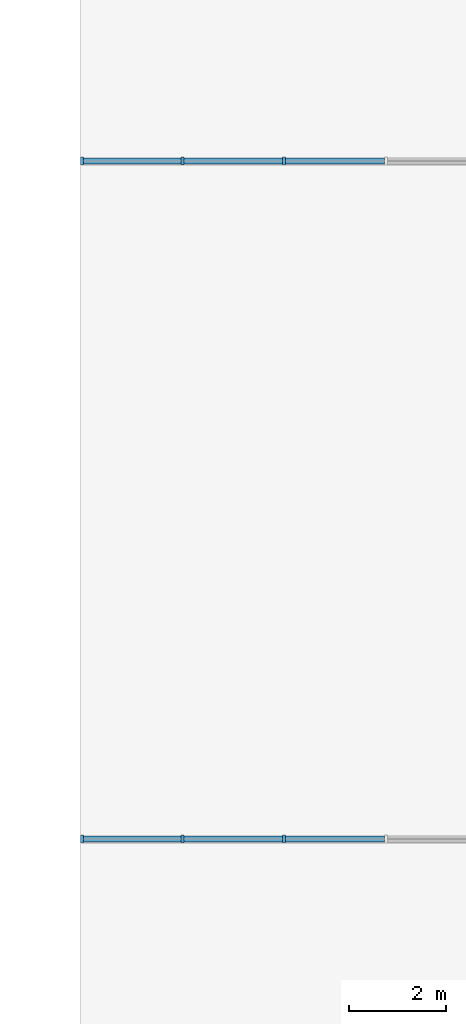
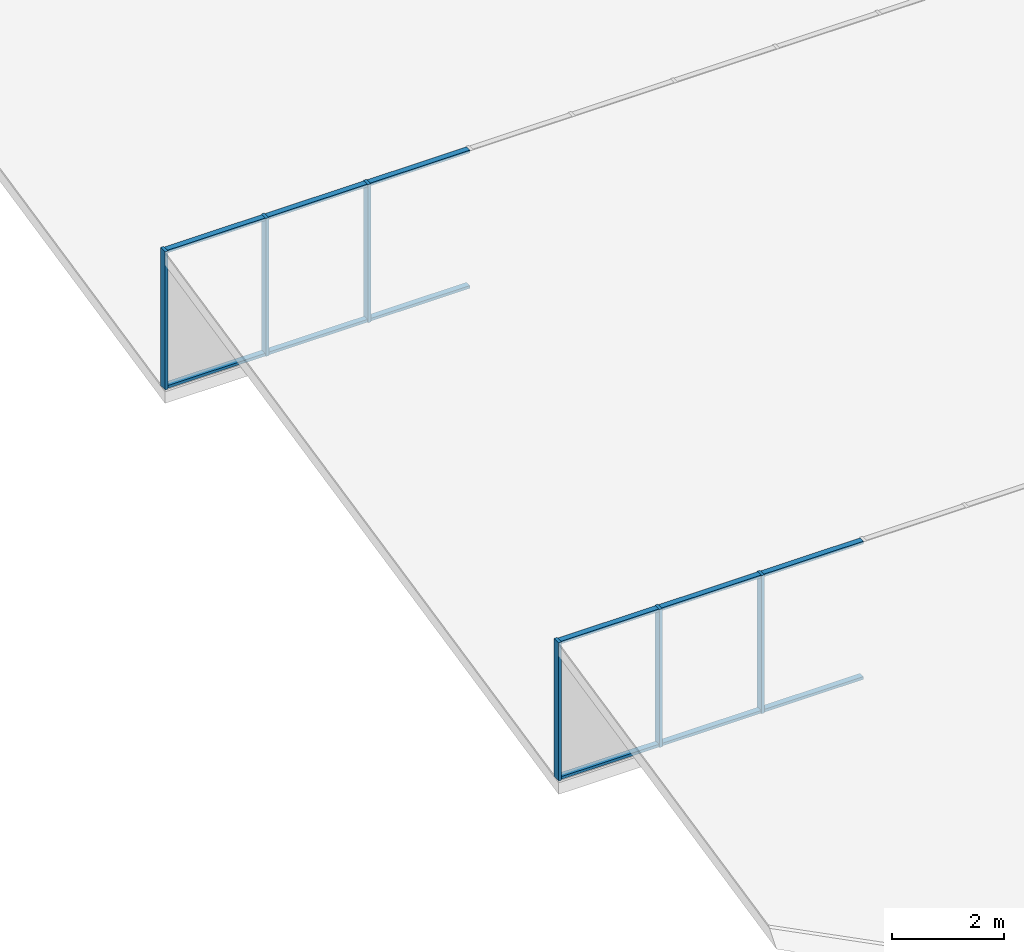
# One storey, part 28 of 137: 18 members, 2 elements without a shape of their own.
"""IFC4 building model written with IfcOpenShell, lengths in metres."""

import ifcopenshell
import ifcopenshell.guid

model = None  # the IFC model being written
_history = None  # IfcOwnerHistory: only IFC2X3 demands one
_inside = {}  # id of a spatial element -> (the spatial element, [elements in it])
_under = {}  # id of a project, library or spatial element -> (it, [spatial elements below it])
_declared = {}  # id of a project -> (the project, [libraries it declares])
_typed = {}  # id of a type object -> (the type object, [elements of that type])
_made_of = {}  # id of a material, layer set ... -> (it, [elements and type objects made of it])


def new_model(schema):
    """Start an empty IFC model of exactly this schema.

    Asked for "IFC4X3", IfcOpenShell would pick the latest addendum, in which some entities
    have other attributes; the version numbers below select the first issue.
    IFC2X3 requires an IfcOwnerHistory on every rooted entity: one is made here for all.
    """
    global model, _history
    if schema == "IFC4X3":
        model = ifcopenshell.file(schema_version=(4, 3, 0, 0))
    else:
        model = ifcopenshell.file(schema=schema)
    _inside.clear()
    _under.clear()
    _declared.clear()
    _typed.clear()
    _made_of.clear()
    _history = None
    if model.schema == "IFC2X3":
        org = make("IfcOrganization", Name="unknown")
        user = make(
            "IfcPersonAndOrganization",
            ThePerson=make("IfcPerson", FamilyName="unknown"),
            TheOrganization=org,
        )
        app = make(
            "IfcApplication",
            ApplicationDeveloper=org,
            Version="unknown",
            ApplicationFullName="unknown",
            ApplicationIdentifier="unknown",
        )
        _history = make(
            "IfcOwnerHistory",
            OwningUser=user,
            OwningApplication=app,
            ChangeAction="ADDED",
            CreationDate=0,
        )
    return model


def make(cls, **values):
    """One entity of the class cls with the attributes given. An attribute that is None is left unset."""
    return model.create_entity(
        cls, **{name: value for name, value in values.items() if value is not None}
    )


def rooted(cls, **values):
    """An entity with a GlobalId (a new one), such as an element, a storey or a relation."""
    return make(cls, GlobalId=ifcopenshell.guid.new(), OwnerHistory=_history, **values)


def si_unit(unit_type, name, prefix=None):
    """IfcSIUnit, for example si_unit("LENGTHUNIT", "METRE", prefix="MILLI")."""
    return make("IfcSIUnit", UnitType=unit_type, Prefix=prefix, Name=name)


def assignment(units):
    """IfcUnitAssignment: the units of a project."""
    return None if units is None else make("IfcUnitAssignment", Units=units)


def point(xyz):
    """IfcCartesianPoint."""
    return None if xyz is None else make("IfcCartesianPoint", Coordinates=xyz)


def direction(xyz):
    """IfcDirection."""
    return None if xyz is None else make("IfcDirection", DirectionRatios=xyz)


def frame(location, z_axis=None, x_axis=None):
    """IfcAxis2Placement3D, a coordinate frame: its origin and axes. An axis left out is left unset."""
    return make(
        "IfcAxis2Placement3D",
        Location=point(location),
        Axis=direction(z_axis),
        RefDirection=direction(x_axis),
    )


def frame_2d(location, x_axis=None):
    """IfcAxis2Placement2D, a coordinate frame in the plane: its origin and x axis."""
    return make(
        "IfcAxis2Placement2D", Location=point(location), RefDirection=direction(x_axis)
    )


def origin():
    """The frame at (0, 0, 0) with its axes left unset."""
    return frame((0.0, 0.0, 0.0))


def origin_2d():
    """The frame at (0, 0) in the plane with its x axis left unset."""
    return frame_2d((0.0, 0.0))


def place(relative_to, where):
    """IfcLocalPlacement: puts the frame where relative to a parent placement (None: the world)."""
    return make(
        "IfcLocalPlacement", PlacementRelTo=relative_to, RelativePlacement=where
    )


def context(
    kind, dimensions, precision=None, world=None, true_north=None, identifier=None
):
    """IfcGeometricRepresentationContext, for example the 3D "Model" context."""
    return make(
        "IfcGeometricRepresentationContext",
        ContextIdentifier=identifier,
        ContextType=kind,
        CoordinateSpaceDimension=dimensions,
        Precision=precision,
        WorldCoordinateSystem=world,
        TrueNorth=true_north,
    )


def subcontext(parent, identifier, kind, view, scale=None):
    """IfcGeometricRepresentationSubContext, for example "Body" below "Model"."""
    return make(
        "IfcGeometricRepresentationSubContext",
        ContextIdentifier=identifier,
        ContextType=kind,
        ParentContext=parent,
        TargetScale=scale,
        TargetView=view,
    )


def project(units=None, contexts=None):
    """IfcProject with its units and contexts."""
    return rooted(
        "IfcProject",
        Name="project",
        RepresentationContexts=contexts,
        UnitsInContext=assignment(units),
    )


def spatial(cls, under=None, at=None, **own):
    """A site, building, storey or space (cls), placed at a placement, below another one or the project."""
    s = rooted(cls, ObjectPlacement=at, **own)
    if under is not None:
        _under.setdefault(under.id(), (under, []))[1].append(s)
    return s


def profile(cls, at=None, kind="AREA", **sizes):
    """A parametric profile (cls). Its sizes go by their IFC names, for example OverallWidth=200.0."""
    return make(cls, ProfileType=kind, Position=at, **sizes)


def rectangle(**sizes):
    """IfcRectangleProfileDef."""
    return profile("IfcRectangleProfileDef", **sizes)


def extrude(swept, where, along, depth):
    """IfcExtrudedAreaSolid: the profile swept, set in the frame where, extruded along a direction by depth."""
    return make(
        "IfcExtrudedAreaSolid",
        SweptArea=swept,
        Position=where,
        ExtrudedDirection=direction(along),
        Depth=depth,
    )


def shape(context_of_items, identifier, shape_type, items):
    """IfcShapeRepresentation: the items that make up one representation, for example the "Body"."""
    return make(
        "IfcShapeRepresentation",
        ContextOfItems=context_of_items,
        RepresentationIdentifier=identifier,
        RepresentationType=shape_type,
        Items=items,
    )


def material(Name=None, Category=None):
    """IfcMaterial."""
    return make("IfcMaterial", Name=Name, Category=Category)


def material_profile(
    of_material, cross_section, Name=None, Category=None, Priority=None
):
    """IfcMaterialProfile: a cross section and its material."""
    return make(
        "IfcMaterialProfile",
        Name=Name,
        Material=of_material,
        Profile=cross_section,
        Priority=Priority,
        Category=Category,
    )


def profile_set(profiles, Name=None, composite=None):
    """IfcMaterialProfileSet."""
    return make(
        "IfcMaterialProfileSet",
        Name=Name,
        MaterialProfiles=profiles,
        CompositeProfile=composite,
    )


def made_of(thing, what):
    """Note that an element or type object is made of a material, layer set ...; save() writes the relation."""
    if what is not None:
        _made_of.setdefault(what.id(), (what, []))[1].append(thing)
    return thing


def type_object(cls, material=None, **own):
    """A type object (cls), such as IfcWallType, which elements share."""
    return made_of(rooted(cls, **own), material)


def element(
    cls,
    number,
    at=None,
    inside=None,
    cuts=None,
    type_object=None,
    material=None,
    context=None,
    identifier="Body",
    shape_type=None,
    held_by="IfcProductDefinitionShape",
    body=None,
    shapes=None,
    **own,
):
    """One element of the class cls, such as IfcWall. Its Tag is "e" and its number.

    at: its placement. inside: the storey or other place that contains it. cuts: it is an
    opening in that element (IfcRelVoidsElement). A single representation is given by context,
    identifier, shape_type and body (its items); several are given by shapes. held_by: the class
    of the entity that holds the representations. save() writes the other relations.
    """
    e = rooted(cls, Tag="e%d" % number, ObjectPlacement=at, **own)
    if body is not None:
        shapes = [shape(context, identifier, shape_type, body)]
    if shapes is not None:
        e.Representation = make(held_by, Representations=shapes)
    if inside is not None:
        _inside.setdefault(inside.id(), (inside, []))[1].append(e)
    if cuts is not None:
        rooted(
            "IfcRelVoidsElement", RelatingBuildingElement=cuts, RelatedOpeningElement=e
        )
    if type_object is not None:
        _typed.setdefault(type_object.id(), (type_object, []))[1].append(e)
    return made_of(e, material)


def aggregate(whole, parts):
    """IfcRelAggregates: a whole, such as a stair, and the parts it consists of."""
    return rooted("IfcRelAggregates", RelatingObject=whole, RelatedObjects=parts)


def save(model, path):
    """Write the relations noted so far, then the file.

    IfcRelAggregates (storeys below a building ...), IfcRelContainedInSpatialStructure (elements
    in a storey), IfcRelDefinesByType, IfcRelAssociatesMaterial and IfcRelDeclares: one each for
    every whole, place, type object, material and project.
    """
    for whole, parts in _under.values():
        aggregate(whole, parts)
    for where, things in _inside.values():
        rooted(
            "IfcRelContainedInSpatialStructure",
            RelatedElements=things,
            RelatingStructure=where,
        )
    for kind, things in _typed.values():
        rooted("IfcRelDefinesByType", RelatedObjects=things, RelatingType=kind)
    for what, things in _made_of.values():
        rooted("IfcRelAssociatesMaterial", RelatedObjects=things, RelatingMaterial=what)
    for by, libraries in _declared.values():
        rooted("IfcRelDeclares", RelatingContext=by, RelatedDefinitions=libraries)
    model.write(path)


model = new_model("IFC4")

# Units and contexts
model_context = context("Model", 3, precision=1e-05, world=origin(), true_north=direction((0.0, 1.0)))
body_context = subcontext(model_context, "Body", "Model", "MODEL_VIEW")
ifc_project = project(units=[si_unit("LENGTHUNIT", "METRE"), si_unit("AREAUNIT", "SQUARE_METRE"), si_unit("VOLUMEUNIT", "CUBIC_METRE"), si_unit("PLANEANGLEUNIT", "RADIAN"), si_unit("MASSUNIT", "GRAM", prefix="KILO")], contexts=[model_context])

# Site, building, storey
site_placement = place(None, origin())
site = spatial("IfcSite", under=ifc_project, at=site_placement, CompositionType="ELEMENT")
building_placement = place(site_placement, origin())
building = spatial("IfcBuilding", under=site, at=building_placement, Name="Bougainvillea Quay General Hospital", CompositionType="ELEMENT")
storey_placement = place(building_placement, frame((0.0, 0.0, 16.800048828125)))
storey = spatial("IfcBuildingStorey", under=building, at=storey_placement, Name="L03", CompositionType="ELEMENT", Elevation=16.800048828125)

# Curtain wall, members
ifc_material_1 = material(Name="Aluminium curtain wall system, powder-coated glazed", Category="aluminium")
curtain_wall_type = type_object("IfcCurtainWallType", Name="Unitised curtain wall CW-2100", PredefinedType="NOTDEFINED", material=ifc_material_1)
curtain_wall_1_placement = place(storey_placement, origin())
curtain_wall_1 = element("IfcCurtainWall", 1, at=curtain_wall_1_placement, inside=storey, type_object=curtain_wall_type, Name="ST-G1 GL0", PredefinedType="NOTDEFINED")
ifc_material_2 = material(Name="Aluminium mullion, powder-coated charcoal", Category="aluminium")
ifc_material_profile_1 = material_profile(ifc_material_2, rectangle(XDim=0.159912109375, YDim=0.06005859375, at=origin_2d()))
ifc_profile_set_1 = profile_set([ifc_material_profile_1], Name="Aluminium mullion, powder-coated charcoal")
member_type_1 = type_object("IfcMemberType", Name="Curtain wall mullion 160x60", PredefinedType="MULLION", material=ifc_profile_set_1)
member_1_placement = place(storey_placement, frame((163.830078125, 89.679931640625, 0.0), z_axis=(0.0, 0.0, 1.0), x_axis=(0.0, 1.0, 0.0)))
member_1 = element("IfcMember", 2, at=member_1_placement, type_object=member_type_1, Name="ST-G1 mullion 1", PredefinedType="MULLION", context=body_context, shape_type="SweptSolid", body=[
    extrude(rectangle(XDim=0.159912109375, YDim=0.06005859375, at=origin_2d()), origin(), (0.0, 0.0, 1.0), 3.0),
])
member_2_placement = place(storey_placement, frame((165.89990234375, 89.679931640625, 0.0), z_axis=(0.0, 0.0, 1.0), x_axis=(0.0, 1.0, 0.0)))
member_2 = element("IfcMember", 3, at=member_2_placement, type_object=member_type_1, Name="ST-G1 mullion 2", PredefinedType="MULLION", context=body_context, shape_type="SweptSolid", body=[
    extrude(rectangle(XDim=0.159912109375, YDim=0.06005859375, at=origin_2d()), origin(), (0.0, 0.0, 1.0), 3.0),
])
member_3_placement = place(storey_placement, frame((168.0, 89.679931640625, 0.0), z_axis=(0.0, 0.0, 1.0), x_axis=(0.0, 1.0, 0.0)))
member_3 = element("IfcMember", 4, at=member_3_placement, type_object=member_type_1, Name="ST-G1 mullion 3", PredefinedType="MULLION", context=body_context, shape_type="SweptSolid", body=[
    extrude(rectangle(XDim=0.159912109375, YDim=0.06005859375, at=origin_2d()), origin(), (0.0, 0.0, 1.0), 3.0),
])

curtain_wall_2_placement = place(storey_placement, origin())
curtain_wall_2 = element("IfcCurtainWall", 5, at=curtain_wall_2_placement, inside=storey, type_object=curtain_wall_type, Name="ST-G2 GL1", PredefinedType="NOTDEFINED")
member_4_placement = place(storey_placement, frame((163.830078125, 103.679931640625, 0.0), z_axis=(0.0, 0.0, 1.0), x_axis=(0.0, 1.0, 0.0)))
member_4 = element("IfcMember", 6, at=member_4_placement, type_object=member_type_1, Name="ST-G2 mullion 1", PredefinedType="MULLION", context=body_context, shape_type="SweptSolid", body=[
    extrude(rectangle(XDim=0.159912109375, YDim=0.06005859375, at=origin_2d()), origin(), (0.0, 0.0, 1.0), 3.0),
])
member_5_placement = place(storey_placement, frame((165.89990234375, 103.679931640625, 0.0), z_axis=(0.0, 0.0, 1.0), x_axis=(0.0, 1.0, 0.0)))
member_5 = element("IfcMember", 7, at=member_5_placement, type_object=member_type_1, Name="ST-G2 mullion 2", PredefinedType="MULLION", context=body_context, shape_type="SweptSolid", body=[
    extrude(rectangle(XDim=0.159912109375, YDim=0.06005859375, at=origin_2d()), origin(), (0.0, 0.0, 1.0), 3.0),
])
member_6_placement = place(storey_placement, frame((168.0, 103.679931640625, 0.0), z_axis=(0.0, 0.0, 1.0), x_axis=(0.0, 1.0, 0.0)))
member_6 = element("IfcMember", 8, at=member_6_placement, type_object=member_type_1, Name="ST-G2 mullion 3", PredefinedType="MULLION", context=body_context, shape_type="SweptSolid", body=[
    extrude(rectangle(XDim=0.159912109375, YDim=0.06005859375, at=origin_2d()), origin(), (0.0, 0.0, 1.0), 3.0),
])

# Member
ifc_material_3 = material(Name="Aluminium transom, powder-coated charcoal", Category="aluminium")
ifc_material_profile_2 = material_profile(ifc_material_3, rectangle(XDim=0.1201171875, YDim=0.06005859375, at=origin_2d()))
ifc_profile_set_2 = profile_set([ifc_material_profile_2], Name="Aluminium transom, powder-coated charcoal")
member_type_2 = type_object("IfcMemberType", Name="Curtain wall transom 120x60", PredefinedType="USERDEFINED", material=ifc_profile_set_2)
member_7_placement = place(storey_placement, frame((163.860107421875, 89.679931640625, 0.030029296875), z_axis=(1.0, 0.0, 0.0), x_axis=(0.0, 1.0, 0.0)))
member_7 = element("IfcMember", 9, at=member_7_placement, type_object=member_type_2, Name="ST-G1 transom 1.1", ObjectType="TRANSOM", PredefinedType="USERDEFINED", context=body_context, shape_type="SweptSolid", body=[
    extrude(rectangle(XDim=0.1201171875, YDim=0.06005859375, at=origin_2d()), origin(), (0.0, 0.0, 1.0), 2.010009765625),
])

member_8_placement = place(storey_placement, frame((163.860107421875, 89.679931640625, 2.969970703125), z_axis=(1.0, 0.0, 0.0), x_axis=(0.0, 1.0, 0.0)))
member_8 = element("IfcMember", 10, at=member_8_placement, type_object=member_type_2, Name="ST-G1 transom 1.2", ObjectType="TRANSOM", PredefinedType="USERDEFINED", context=body_context, shape_type="SweptSolid", body=[
    extrude(rectangle(XDim=0.1201171875, YDim=0.06005859375, at=origin_2d()), origin(), (0.0, 0.0, 1.0), 2.010009765625),
])

member_9_placement = place(storey_placement, frame((165.929931640625, 89.679931640625, 0.030029296875), z_axis=(1.0, 0.0, 0.0), x_axis=(0.0, 1.0, 0.0)))
member_9 = element("IfcMember", 11, at=member_9_placement, type_object=member_type_2, Name="ST-G1 transom 2.1", ObjectType="TRANSOM", PredefinedType="USERDEFINED", context=body_context, shape_type="SweptSolid", body=[
    extrude(rectangle(XDim=0.1201171875, YDim=0.06005859375, at=origin_2d()), origin(), (0.0, 0.0, 1.0), 2.0400390625),
])

member_10_placement = place(storey_placement, frame((165.929931640625, 89.679931640625, 2.969970703125), z_axis=(1.0, 0.0, 0.0), x_axis=(0.0, 1.0, 0.0)))
member_10 = element("IfcMember", 12, at=member_10_placement, type_object=member_type_2, Name="ST-G1 transom 2.2", ObjectType="TRANSOM", PredefinedType="USERDEFINED", context=body_context, shape_type="SweptSolid", body=[
    extrude(rectangle(XDim=0.1201171875, YDim=0.06005859375, at=origin_2d()), origin(), (0.0, 0.0, 1.0), 2.0400390625),
])

member_11_placement = place(storey_placement, frame((168.030029296875, 89.679931640625, 0.030029296875), z_axis=(1.0, 0.0, 0.0), x_axis=(0.0, 1.0, 0.0)))
member_11 = element("IfcMember", 13, at=member_11_placement, type_object=member_type_2, Name="ST-G1 transom 3.1", ObjectType="TRANSOM", PredefinedType="USERDEFINED", context=body_context, shape_type="SweptSolid", body=[
    extrude(rectangle(XDim=0.1201171875, YDim=0.06005859375, at=origin_2d()), origin(), (0.0, 0.0, 1.0), 2.0400390625),
])

member_12_placement = place(storey_placement, frame((168.030029296875, 89.679931640625, 2.969970703125), z_axis=(1.0, 0.0, 0.0), x_axis=(0.0, 1.0, 0.0)))
member_12 = element("IfcMember", 14, at=member_12_placement, type_object=member_type_2, Name="ST-G1 transom 3.2", ObjectType="TRANSOM", PredefinedType="USERDEFINED", context=body_context, shape_type="SweptSolid", body=[
    extrude(rectangle(XDim=0.1201171875, YDim=0.06005859375, at=origin_2d()), origin(), (0.0, 0.0, 1.0), 2.0400390625),
])

aggregate(curtain_wall_1, [member_1, member_2, member_3, member_7, member_8, member_9, member_10, member_11, member_12])

member_13_placement = place(storey_placement, frame((163.860107421875, 103.679931640625, 0.030029296875), z_axis=(1.0, 0.0, 0.0), x_axis=(0.0, 1.0, 0.0)))
member_13 = element("IfcMember", 15, at=member_13_placement, type_object=member_type_2, Name="ST-G2 transom 1.1", ObjectType="TRANSOM", PredefinedType="USERDEFINED", context=body_context, shape_type="SweptSolid", body=[
    extrude(rectangle(XDim=0.1201171875, YDim=0.06005859375, at=origin_2d()), origin(), (0.0, 0.0, 1.0), 2.010009765625),
])

member_14_placement = place(storey_placement, frame((163.860107421875, 103.679931640625, 2.969970703125), z_axis=(1.0, 0.0, 0.0), x_axis=(0.0, 1.0, 0.0)))
member_14 = element("IfcMember", 16, at=member_14_placement, type_object=member_type_2, Name="ST-G2 transom 1.2", ObjectType="TRANSOM", PredefinedType="USERDEFINED", context=body_context, shape_type="SweptSolid", body=[
    extrude(rectangle(XDim=0.1201171875, YDim=0.06005859375, at=origin_2d()), origin(), (0.0, 0.0, 1.0), 2.010009765625),
])

member_15_placement = place(storey_placement, frame((165.929931640625, 103.679931640625, 0.030029296875), z_axis=(1.0, 0.0, 0.0), x_axis=(0.0, 1.0, 0.0)))
member_15 = element("IfcMember", 17, at=member_15_placement, type_object=member_type_2, Name="ST-G2 transom 2.1", ObjectType="TRANSOM", PredefinedType="USERDEFINED", context=body_context, shape_type="SweptSolid", body=[
    extrude(rectangle(XDim=0.1201171875, YDim=0.06005859375, at=origin_2d()), origin(), (0.0, 0.0, 1.0), 2.0400390625),
])

member_16_placement = place(storey_placement, frame((165.929931640625, 103.679931640625, 2.969970703125), z_axis=(1.0, 0.0, 0.0), x_axis=(0.0, 1.0, 0.0)))
member_16 = element("IfcMember", 18, at=member_16_placement, type_object=member_type_2, Name="ST-G2 transom 2.2", ObjectType="TRANSOM", PredefinedType="USERDEFINED", context=body_context, shape_type="SweptSolid", body=[
    extrude(rectangle(XDim=0.1201171875, YDim=0.06005859375, at=origin_2d()), origin(), (0.0, 0.0, 1.0), 2.0400390625),
])

member_17_placement = place(storey_placement, frame((168.030029296875, 103.679931640625, 0.030029296875), z_axis=(1.0, 0.0, 0.0), x_axis=(0.0, 1.0, 0.0)))
member_17 = element("IfcMember", 19, at=member_17_placement, type_object=member_type_2, Name="ST-G2 transom 3.1", ObjectType="TRANSOM", PredefinedType="USERDEFINED", context=body_context, shape_type="SweptSolid", body=[
    extrude(rectangle(XDim=0.1201171875, YDim=0.06005859375, at=origin_2d()), origin(), (0.0, 0.0, 1.0), 2.0400390625),
])

member_18_placement = place(storey_placement, frame((168.030029296875, 103.679931640625, 2.969970703125), z_axis=(1.0, 0.0, 0.0), x_axis=(0.0, 1.0, 0.0)))
member_18 = element("IfcMember", 20, at=member_18_placement, type_object=member_type_2, Name="ST-G2 transom 3.2", ObjectType="TRANSOM", PredefinedType="USERDEFINED", context=body_context, shape_type="SweptSolid", body=[
    extrude(rectangle(XDim=0.1201171875, YDim=0.06005859375, at=origin_2d()), origin(), (0.0, 0.0, 1.0), 2.0400390625),
])

aggregate(curtain_wall_2, [member_4, member_5, member_6, member_13, member_14, member_15, member_16, member_17, member_18])

save(model, "model.ifc")
